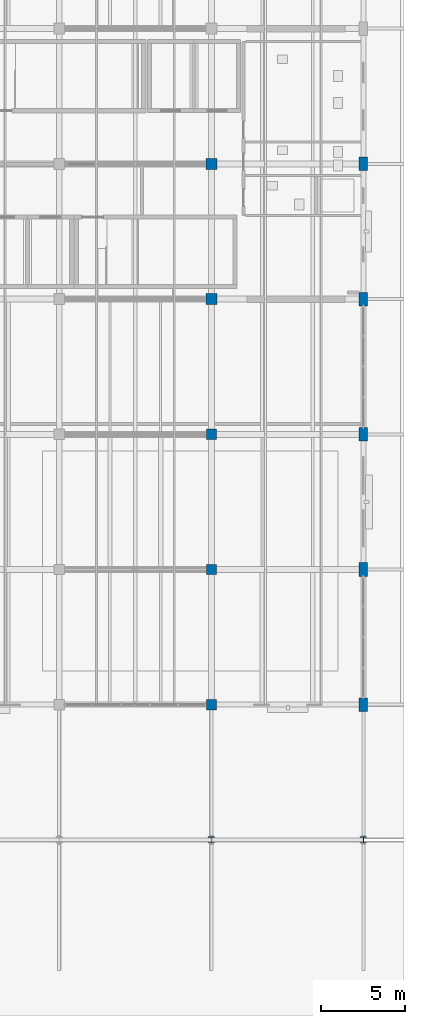
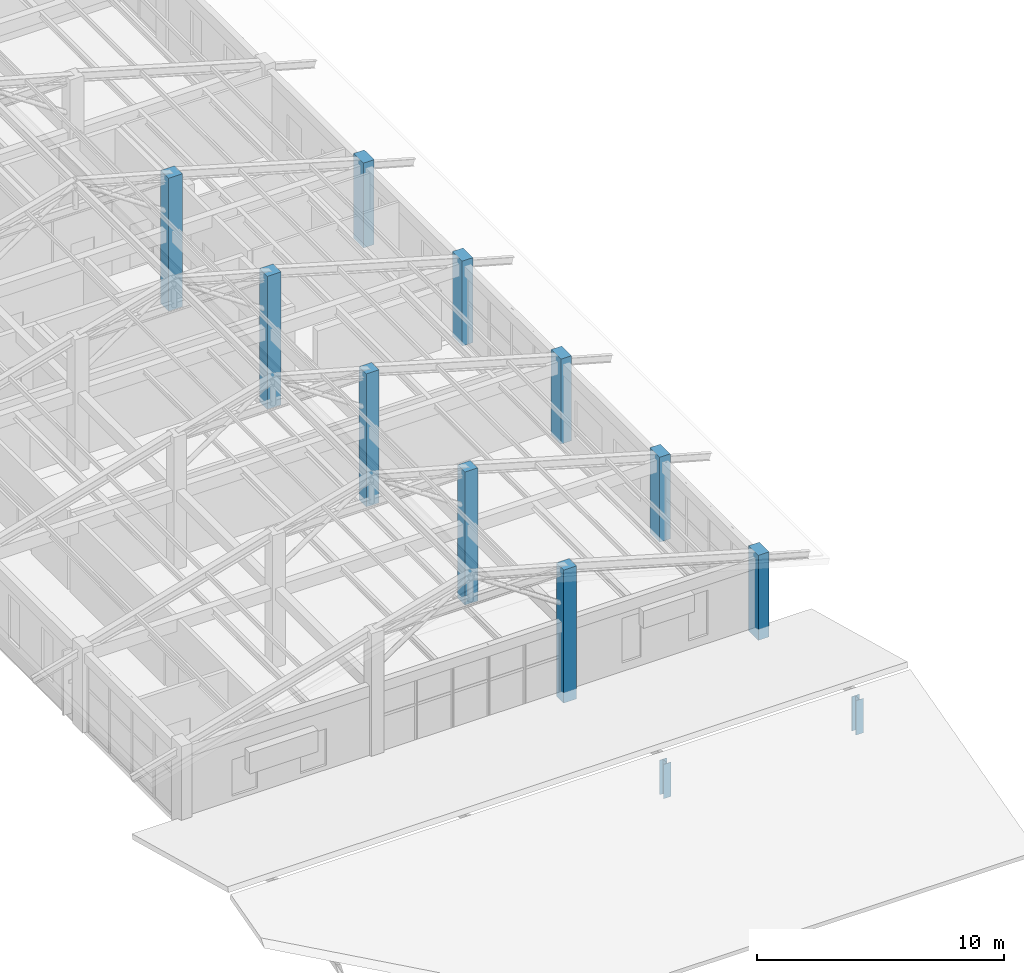
# One storey, part 6 of 58: 12 columns.
"""IFC4 building model written with IfcOpenShell, lengths in metres."""

import ifcopenshell
import ifcopenshell.guid

model = None  # the IFC model being written
_history = None  # IfcOwnerHistory: only IFC2X3 demands one
_inside = {}  # id of a spatial element -> (the spatial element, [elements in it])
_under = {}  # id of a project, library or spatial element -> (it, [spatial elements below it])
_declared = {}  # id of a project -> (the project, [libraries it declares])
_typed = {}  # id of a type object -> (the type object, [elements of that type])
_made_of = {}  # id of a material, layer set ... -> (it, [elements and type objects made of it])


def new_model(schema):
    """Start an empty IFC model of exactly this schema.

    Asked for "IFC4X3", IfcOpenShell would pick the latest addendum, in which some entities
    have other attributes; the version numbers below select the first issue.
    IFC2X3 requires an IfcOwnerHistory on every rooted entity: one is made here for all.
    """
    global model, _history
    if schema == "IFC4X3":
        model = ifcopenshell.file(schema_version=(4, 3, 0, 0))
    else:
        model = ifcopenshell.file(schema=schema)
    _inside.clear()
    _under.clear()
    _declared.clear()
    _typed.clear()
    _made_of.clear()
    _history = None
    if model.schema == "IFC2X3":
        org = make("IfcOrganization", Name="unknown")
        user = make(
            "IfcPersonAndOrganization",
            ThePerson=make("IfcPerson", FamilyName="unknown"),
            TheOrganization=org,
        )
        app = make(
            "IfcApplication",
            ApplicationDeveloper=org,
            Version="unknown",
            ApplicationFullName="unknown",
            ApplicationIdentifier="unknown",
        )
        _history = make(
            "IfcOwnerHistory",
            OwningUser=user,
            OwningApplication=app,
            ChangeAction="ADDED",
            CreationDate=0,
        )
    return model


def make(cls, **values):
    """One entity of the class cls with the attributes given. An attribute that is None is left unset."""
    return model.create_entity(
        cls, **{name: value for name, value in values.items() if value is not None}
    )


def rooted(cls, **values):
    """An entity with a GlobalId (a new one), such as an element, a storey or a relation."""
    return make(cls, GlobalId=ifcopenshell.guid.new(), OwnerHistory=_history, **values)


def si_unit(unit_type, name, prefix=None):
    """IfcSIUnit, for example si_unit("LENGTHUNIT", "METRE", prefix="MILLI")."""
    return make("IfcSIUnit", UnitType=unit_type, Prefix=prefix, Name=name)


def derived_unit(unit_type, elements):
    """IfcDerivedUnit: a product of units, each with its exponent."""
    return make(
        "IfcDerivedUnit",
        Elements=[
            make("IfcDerivedUnitElement", Unit=unit, Exponent=power)
            for unit, power in elements
        ],
        UnitType=unit_type,
    )


def assignment(units):
    """IfcUnitAssignment: the units of a project."""
    return None if units is None else make("IfcUnitAssignment", Units=units)


def point(xyz):
    """IfcCartesianPoint."""
    return None if xyz is None else make("IfcCartesianPoint", Coordinates=xyz)


def direction(xyz):
    """IfcDirection."""
    return None if xyz is None else make("IfcDirection", DirectionRatios=xyz)


def frame(location, z_axis=None, x_axis=None):
    """IfcAxis2Placement3D, a coordinate frame: its origin and axes. An axis left out is left unset."""
    return make(
        "IfcAxis2Placement3D",
        Location=point(location),
        Axis=direction(z_axis),
        RefDirection=direction(x_axis),
    )


def frame_2d(location, x_axis=None):
    """IfcAxis2Placement2D, a coordinate frame in the plane: its origin and x axis."""
    return make(
        "IfcAxis2Placement2D", Location=point(location), RefDirection=direction(x_axis)
    )


def origin():
    """The frame at (0, 0, 0) with its axes left unset."""
    return frame((0.0, 0.0, 0.0))


def origin_2d():
    """The frame at (0, 0) in the plane with its x axis left unset."""
    return frame_2d((0.0, 0.0))


def place(relative_to, where):
    """IfcLocalPlacement: puts the frame where relative to a parent placement (None: the world)."""
    return make(
        "IfcLocalPlacement", PlacementRelTo=relative_to, RelativePlacement=where
    )


def context(
    kind, dimensions, precision=None, world=None, true_north=None, identifier=None
):
    """IfcGeometricRepresentationContext, for example the 3D "Model" context."""
    return make(
        "IfcGeometricRepresentationContext",
        ContextIdentifier=identifier,
        ContextType=kind,
        CoordinateSpaceDimension=dimensions,
        Precision=precision,
        WorldCoordinateSystem=world,
        TrueNorth=true_north,
    )


def subcontext(parent, identifier, kind, view, scale=None):
    """IfcGeometricRepresentationSubContext, for example "Body" below "Model"."""
    return make(
        "IfcGeometricRepresentationSubContext",
        ContextIdentifier=identifier,
        ContextType=kind,
        ParentContext=parent,
        TargetScale=scale,
        TargetView=view,
    )


def project(units=None, contexts=None):
    """IfcProject with its units and contexts."""
    return rooted(
        "IfcProject",
        Name="project",
        RepresentationContexts=contexts,
        UnitsInContext=assignment(units),
    )


def spatial(cls, under=None, at=None, **own):
    """A site, building, storey or space (cls), placed at a placement, below another one or the project."""
    s = rooted(cls, ObjectPlacement=at, **own)
    if under is not None:
        _under.setdefault(under.id(), (under, []))[1].append(s)
    return s


def profile(cls, at=None, kind="AREA", **sizes):
    """A parametric profile (cls). Its sizes go by their IFC names, for example OverallWidth=200.0."""
    return make(cls, ProfileType=kind, Position=at, **sizes)


def rectangle(**sizes):
    """IfcRectangleProfileDef."""
    return profile("IfcRectangleProfileDef", **sizes)


def i_section(**sizes):
    """IfcIShapeProfileDef."""
    return profile("IfcIShapeProfileDef", **sizes)


def extrude(swept, where, along, depth):
    """IfcExtrudedAreaSolid: the profile swept, set in the frame where, extruded along a direction by depth."""
    return make(
        "IfcExtrudedAreaSolid",
        SweptArea=swept,
        Position=where,
        ExtrudedDirection=direction(along),
        Depth=depth,
    )


def shape(context_of_items, identifier, shape_type, items):
    """IfcShapeRepresentation: the items that make up one representation, for example the "Body"."""
    return make(
        "IfcShapeRepresentation",
        ContextOfItems=context_of_items,
        RepresentationIdentifier=identifier,
        RepresentationType=shape_type,
        Items=items,
    )


def material(Name=None, Category=None):
    """IfcMaterial."""
    return make("IfcMaterial", Name=Name, Category=Category)


def material_profile(
    of_material, cross_section, Name=None, Category=None, Priority=None
):
    """IfcMaterialProfile: a cross section and its material."""
    return make(
        "IfcMaterialProfile",
        Name=Name,
        Material=of_material,
        Profile=cross_section,
        Priority=Priority,
        Category=Category,
    )


def profile_set(profiles, Name=None, composite=None):
    """IfcMaterialProfileSet."""
    return make(
        "IfcMaterialProfileSet",
        Name=Name,
        MaterialProfiles=profiles,
        CompositeProfile=composite,
    )


def made_of(thing, what):
    """Note that an element or type object is made of a material, layer set ...; save() writes the relation."""
    if what is not None:
        _made_of.setdefault(what.id(), (what, []))[1].append(thing)
    return thing


def type_object(cls, material=None, **own):
    """A type object (cls), such as IfcWallType, which elements share."""
    return made_of(rooted(cls, **own), material)


def element(
    cls,
    number,
    at=None,
    inside=None,
    cuts=None,
    type_object=None,
    material=None,
    context=None,
    identifier="Body",
    shape_type=None,
    held_by="IfcProductDefinitionShape",
    body=None,
    shapes=None,
    **own,
):
    """One element of the class cls, such as IfcWall. Its Tag is "e" and its number.

    at: its placement. inside: the storey or other place that contains it. cuts: it is an
    opening in that element (IfcRelVoidsElement). A single representation is given by context,
    identifier, shape_type and body (its items); several are given by shapes. held_by: the class
    of the entity that holds the representations. save() writes the other relations.
    """
    e = rooted(cls, Tag="e%d" % number, ObjectPlacement=at, **own)
    if body is not None:
        shapes = [shape(context, identifier, shape_type, body)]
    if shapes is not None:
        e.Representation = make(held_by, Representations=shapes)
    if inside is not None:
        _inside.setdefault(inside.id(), (inside, []))[1].append(e)
    if cuts is not None:
        rooted(
            "IfcRelVoidsElement", RelatingBuildingElement=cuts, RelatedOpeningElement=e
        )
    if type_object is not None:
        _typed.setdefault(type_object.id(), (type_object, []))[1].append(e)
    return made_of(e, material)


def aggregate(whole, parts):
    """IfcRelAggregates: a whole, such as a stair, and the parts it consists of."""
    return rooted("IfcRelAggregates", RelatingObject=whole, RelatedObjects=parts)


def save(model, path):
    """Write the relations noted so far, then the file.

    IfcRelAggregates (storeys below a building ...), IfcRelContainedInSpatialStructure (elements
    in a storey), IfcRelDefinesByType, IfcRelAssociatesMaterial and IfcRelDeclares: one each for
    every whole, place, type object, material and project.
    """
    for whole, parts in _under.values():
        aggregate(whole, parts)
    for where, things in _inside.values():
        rooted(
            "IfcRelContainedInSpatialStructure",
            RelatedElements=things,
            RelatingStructure=where,
        )
    for kind, things in _typed.values():
        rooted("IfcRelDefinesByType", RelatedObjects=things, RelatingType=kind)
    for what, things in _made_of.values():
        rooted("IfcRelAssociatesMaterial", RelatedObjects=things, RelatingMaterial=what)
    for by, libraries in _declared.values():
        rooted("IfcRelDeclares", RelatingContext=by, RelatedDefinitions=libraries)
    model.write(path)


model = new_model("IFC4")

# Units and contexts
model_context = context("Model", 3, precision=1e-05, world=origin(), true_north=direction((0.0, 1.0)))
body_context = subcontext(model_context, "Body", "Model", "MODEL_VIEW")
ifc_project = project(units=[si_unit("LENGTHUNIT", "METRE"), si_unit("AREAUNIT", "SQUARE_METRE"), si_unit("VOLUMEUNIT", "CUBIC_METRE"), si_unit("PLANEANGLEUNIT", "RADIAN"), si_unit("MASSUNIT", "GRAM", prefix="KILO"), derived_unit("THERMALTRANSMITTANCEUNIT", [(si_unit("MASSUNIT", "GRAM", prefix="KILO"), 1), (si_unit("TIMEUNIT", "SECOND"), -3), (si_unit("THERMODYNAMICTEMPERATUREUNIT", "KELVIN"), -1)])], contexts=[model_context])

# Site, building, storey
site_placement = place(None, origin())
site = spatial("IfcSite", under=ifc_project, at=site_placement, CompositionType="ELEMENT")
building_placement = place(site_placement, origin())
building = spatial("IfcBuilding", under=site, at=building_placement, Name="Zhenchuan Archway Interchange", CompositionType="ELEMENT")
storey_placement = place(building_placement, frame((0.0, 0.0, 22.800048828125)))
storey = spatial("IfcBuildingStorey", under=building, at=storey_placement, Name="L05", CompositionType="ELEMENT", Elevation=22.800048828125)

# Columns
ifc_material_1 = material(Name="Concrete C40", Category="concrete")
ifc_material_profile_1 = material_profile(ifc_material_1, rectangle(XDim=0.5, YDim=0.800048828125, at=origin_2d()), Name="RC 500x800")
ifc_profile_set_1 = profile_set([ifc_material_profile_1], Name="Concrete C40")
column_type_1 = type_object("IfcColumnType", Name="COL_RC_500x800_T", PredefinedType="COLUMN", material=ifc_profile_set_1)
for number, where, z_axis, x_axis, name in (
    (1, (171.0, 24.0, 0.0), (0.0, 0.0, 1.0), (1.0, 0.0, 0.0), "Column 20/D (L05)"),
    (2, (171.0, 32.0, 0.0), (0.0, 0.0, 1.0), (1.0, 0.0, 0.0), "Column 20/E (L05)"),
    (3, (171.0, 40.0, 0.0), (0.0, 0.0, 1.0), (1.0, 0.0, 0.0), "Column 20/F (L05)"),
    (4, (171.0, 48.0, 0.0), (0.0, 0.0, 1.0), (1.0, 0.0, 0.0), "Column 20/G (L05)"),
    (5, (171.0, 56.0, 0.0), (0.0, 0.0, 1.0), (1.0, 0.0, 0.0), "Column 20/H (L05)"),
):
    element("IfcColumn", number, at=place(storey_placement, frame(where, z_axis=z_axis, x_axis=x_axis)), inside=storey, type_object=column_type_1, Name=name, PredefinedType="COLUMN", context=body_context, shape_type="SweptSolid", body=[
        extrude(rectangle(XDim=0.5, YDim=0.800048828125, at=origin_2d()), origin(), (0.0, 0.0, 1.0), 4.199951171875),
    ])
ifc_material_profile_2 = material_profile(ifc_material_1, rectangle(XDim=0.60009765625, YDim=0.60009765625, at=origin_2d()), Name="RC 600x600")
ifc_profile_set_2 = profile_set([ifc_material_profile_2], Name="Concrete C40")
column_type_2 = type_object("IfcColumnType", Name="COL_RC_600_T", PredefinedType="COLUMN", material=ifc_profile_set_2)
for number, where, z_axis, x_axis, name in (
    (6, (162.0, 24.0, 0.0), (0.0, 0.0, 1.0), (1.0, 0.0, 0.0), "Column 19/D (L05)"),
    (7, (162.0, 32.0, 0.0), (0.0, 0.0, 1.0), (1.0, 0.0, 0.0), "Column 19/E (L05)"),
    (8, (162.0, 40.0, 0.0), (0.0, 0.0, 1.0), (1.0, 0.0, 0.0), "Column 19/F (L05)"),
):
    element("IfcColumn", number, at=place(storey_placement, frame(where, z_axis=z_axis, x_axis=x_axis)), inside=storey, type_object=column_type_2, Name=name, PredefinedType="COLUMN", context=body_context, shape_type="SweptSolid", body=[
        extrude(rectangle(XDim=0.60009765625, YDim=0.60009765625, at=origin_2d()), origin(), (0.0, 0.0, 1.0), 6.579833984375),
    ])
ifc_material_profile_3 = material_profile(ifc_material_1, rectangle(XDim=0.64990234375, YDim=0.64990234375, at=origin_2d()), Name="RC 650x650")
ifc_profile_set_3 = profile_set([ifc_material_profile_3], Name="Concrete C40")
column_type_3 = type_object("IfcColumnType", Name="COL_RC_650_T", PredefinedType="COLUMN", material=ifc_profile_set_3)
for number, where, z_axis, x_axis, name in (
    (9, (162.0, 48.0, 0.0), (0.0, 0.0, 1.0), (1.0, 0.0, 0.0), "Column 19/G (L05)"),
    (10, (162.0, 56.0, 0.0), (0.0, 0.0, 1.0), (1.0, 0.0, 0.0), "Column 19/H (L05)"),
):
    element("IfcColumn", number, at=place(storey_placement, frame(where, z_axis=z_axis, x_axis=x_axis)), inside=storey, type_object=column_type_3, Name=name, PredefinedType="COLUMN", context=body_context, shape_type="SweptSolid", body=[
        extrude(rectangle(XDim=0.64990234375, YDim=0.64990234375, at=origin_2d()), origin(), (0.0, 0.0, 1.0), 6.579833984375),
    ])
ifc_material_2 = material(Name="Steel Q355", Category="steel")
ifc_material_profile_4 = material_profile(ifc_material_2, i_section(OverallWidth=0.35009765625, OverallDepth=0.35009765625, WebThickness=0.011962890625, FlangeThickness=0.01904296875, FilletRadius=0.02001953125, at=origin_2d()), Name="HW 350x350")
ifc_profile_set_4 = profile_set([ifc_material_profile_4], Name="Steel Q355")
column_type_4 = type_object("IfcColumnType", Name="COL_STL_HW350", PredefinedType="COLUMN", material=ifc_profile_set_4)
for number, where, z_axis, x_axis, name in (
    (11, (162.0, 16.0, 0.0), (0.0, 0.0, 1.0), (1.0, 0.0, 0.0), "East bar end gable ridge column 19/C (L05)"),
    (12, (171.0, 16.0, 0.0), (0.0, 0.0, 1.0), (1.0, 0.0, 0.0), "East bar end gable ridge column 20/C (L05)"),
):
    element("IfcColumn", number, at=place(storey_placement, frame(where, z_axis=z_axis, x_axis=x_axis)), inside=storey, type_object=column_type_4, Name=name, PredefinedType="COLUMN", context=body_context, shape_type="SweptSolid", body=[
        extrude(i_section(OverallWidth=0.35009765625, OverallDepth=0.35009765625, WebThickness=0.011962890625, FlangeThickness=0.01904296875, FilletRadius=0.02001953125, at=origin_2d()), origin(), (0.0, 0.0, 1.0), 1.699951171875),
    ])

save(model, "model.ifc")
